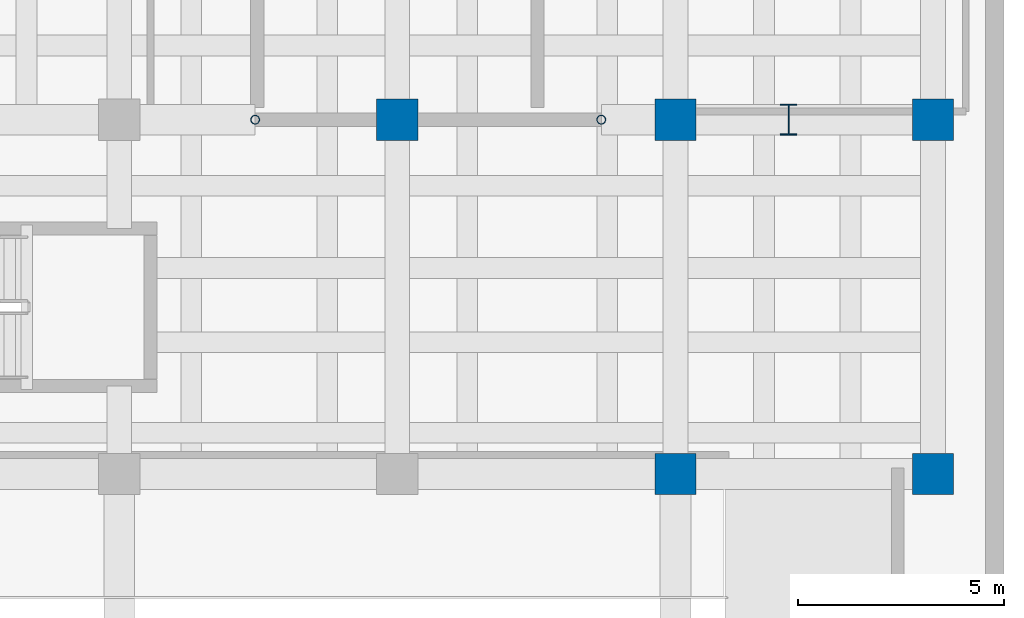
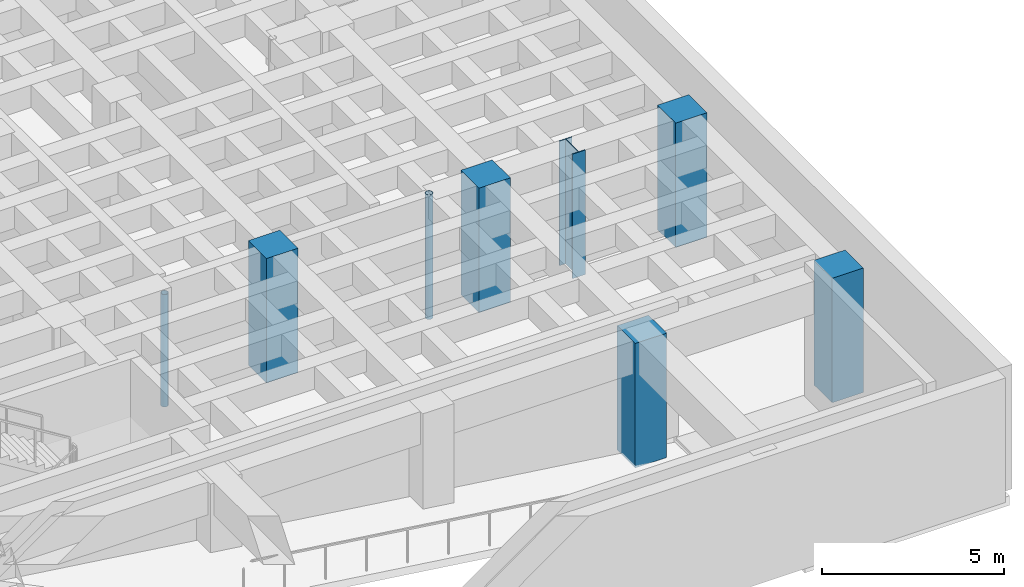
# One storey, part 2 of 13: 8 columns.
"""IFC4 building model written with IfcOpenShell, lengths in metres."""

import ifcopenshell
import ifcopenshell.guid

model = None  # the IFC model being written
_history = None  # IfcOwnerHistory: only IFC2X3 demands one
_inside = {}  # id of a spatial element -> (the spatial element, [elements in it])
_under = {}  # id of a project, library or spatial element -> (it, [spatial elements below it])
_declared = {}  # id of a project -> (the project, [libraries it declares])
_typed = {}  # id of a type object -> (the type object, [elements of that type])
_made_of = {}  # id of a material, layer set ... -> (it, [elements and type objects made of it])


def new_model(schema):
    """Start an empty IFC model of exactly this schema.

    Asked for "IFC4X3", IfcOpenShell would pick the latest addendum, in which some entities
    have other attributes; the version numbers below select the first issue.
    IFC2X3 requires an IfcOwnerHistory on every rooted entity: one is made here for all.
    """
    global model, _history
    if schema == "IFC4X3":
        model = ifcopenshell.file(schema_version=(4, 3, 0, 0))
    else:
        model = ifcopenshell.file(schema=schema)
    _inside.clear()
    _under.clear()
    _declared.clear()
    _typed.clear()
    _made_of.clear()
    _history = None
    if model.schema == "IFC2X3":
        org = make("IfcOrganization", Name="unknown")
        user = make(
            "IfcPersonAndOrganization",
            ThePerson=make("IfcPerson", FamilyName="unknown"),
            TheOrganization=org,
        )
        app = make(
            "IfcApplication",
            ApplicationDeveloper=org,
            Version="unknown",
            ApplicationFullName="unknown",
            ApplicationIdentifier="unknown",
        )
        _history = make(
            "IfcOwnerHistory",
            OwningUser=user,
            OwningApplication=app,
            ChangeAction="ADDED",
            CreationDate=0,
        )
    return model


def make(cls, **values):
    """One entity of the class cls with the attributes given. An attribute that is None is left unset."""
    return model.create_entity(
        cls, **{name: value for name, value in values.items() if value is not None}
    )


def rooted(cls, **values):
    """An entity with a GlobalId (a new one), such as an element, a storey or a relation."""
    return make(cls, GlobalId=ifcopenshell.guid.new(), OwnerHistory=_history, **values)


def si_unit(unit_type, name, prefix=None):
    """IfcSIUnit, for example si_unit("LENGTHUNIT", "METRE", prefix="MILLI")."""
    return make("IfcSIUnit", UnitType=unit_type, Prefix=prefix, Name=name)


def assignment(units):
    """IfcUnitAssignment: the units of a project."""
    return None if units is None else make("IfcUnitAssignment", Units=units)


def point(xyz):
    """IfcCartesianPoint."""
    return None if xyz is None else make("IfcCartesianPoint", Coordinates=xyz)


def direction(xyz):
    """IfcDirection."""
    return None if xyz is None else make("IfcDirection", DirectionRatios=xyz)


def frame(location, z_axis=None, x_axis=None):
    """IfcAxis2Placement3D, a coordinate frame: its origin and axes. An axis left out is left unset."""
    return make(
        "IfcAxis2Placement3D",
        Location=point(location),
        Axis=direction(z_axis),
        RefDirection=direction(x_axis),
    )


def frame_2d(location, x_axis=None):
    """IfcAxis2Placement2D, a coordinate frame in the plane: its origin and x axis."""
    return make(
        "IfcAxis2Placement2D", Location=point(location), RefDirection=direction(x_axis)
    )


def origin():
    """The frame at (0, 0, 0) with its axes left unset."""
    return frame((0.0, 0.0, 0.0))


def origin_2d():
    """The frame at (0, 0) in the plane with its x axis left unset."""
    return frame_2d((0.0, 0.0))


def place(relative_to, where):
    """IfcLocalPlacement: puts the frame where relative to a parent placement (None: the world)."""
    return make(
        "IfcLocalPlacement", PlacementRelTo=relative_to, RelativePlacement=where
    )


def context(
    kind, dimensions, precision=None, world=None, true_north=None, identifier=None
):
    """IfcGeometricRepresentationContext, for example the 3D "Model" context."""
    return make(
        "IfcGeometricRepresentationContext",
        ContextIdentifier=identifier,
        ContextType=kind,
        CoordinateSpaceDimension=dimensions,
        Precision=precision,
        WorldCoordinateSystem=world,
        TrueNorth=true_north,
    )


def subcontext(parent, identifier, kind, view, scale=None):
    """IfcGeometricRepresentationSubContext, for example "Body" below "Model"."""
    return make(
        "IfcGeometricRepresentationSubContext",
        ContextIdentifier=identifier,
        ContextType=kind,
        ParentContext=parent,
        TargetScale=scale,
        TargetView=view,
    )


def project(units=None, contexts=None):
    """IfcProject with its units and contexts."""
    return rooted(
        "IfcProject",
        Name="project",
        RepresentationContexts=contexts,
        UnitsInContext=assignment(units),
    )


def spatial(cls, under=None, at=None, **own):
    """A site, building, storey or space (cls), placed at a placement, below another one or the project."""
    s = rooted(cls, ObjectPlacement=at, **own)
    if under is not None:
        _under.setdefault(under.id(), (under, []))[1].append(s)
    return s


def profile(cls, at=None, kind="AREA", **sizes):
    """A parametric profile (cls). Its sizes go by their IFC names, for example OverallWidth=200.0."""
    return make(cls, ProfileType=kind, Position=at, **sizes)


def rectangle(**sizes):
    """IfcRectangleProfileDef."""
    return profile("IfcRectangleProfileDef", **sizes)


def hollow_circle(**sizes):
    """IfcCircleHollowProfileDef."""
    return profile("IfcCircleHollowProfileDef", **sizes)


def i_section(**sizes):
    """IfcIShapeProfileDef."""
    return profile("IfcIShapeProfileDef", **sizes)


def extrude(swept, where, along, depth):
    """IfcExtrudedAreaSolid: the profile swept, set in the frame where, extruded along a direction by depth."""
    return make(
        "IfcExtrudedAreaSolid",
        SweptArea=swept,
        Position=where,
        ExtrudedDirection=direction(along),
        Depth=depth,
    )


def shape(context_of_items, identifier, shape_type, items):
    """IfcShapeRepresentation: the items that make up one representation, for example the "Body"."""
    return make(
        "IfcShapeRepresentation",
        ContextOfItems=context_of_items,
        RepresentationIdentifier=identifier,
        RepresentationType=shape_type,
        Items=items,
    )


def material(Name=None, Category=None):
    """IfcMaterial."""
    return make("IfcMaterial", Name=Name, Category=Category)


def material_profile(
    of_material, cross_section, Name=None, Category=None, Priority=None
):
    """IfcMaterialProfile: a cross section and its material."""
    return make(
        "IfcMaterialProfile",
        Name=Name,
        Material=of_material,
        Profile=cross_section,
        Priority=Priority,
        Category=Category,
    )


def profile_set(profiles, Name=None, composite=None):
    """IfcMaterialProfileSet."""
    return make(
        "IfcMaterialProfileSet",
        Name=Name,
        MaterialProfiles=profiles,
        CompositeProfile=composite,
    )


def made_of(thing, what):
    """Note that an element or type object is made of a material, layer set ...; save() writes the relation."""
    if what is not None:
        _made_of.setdefault(what.id(), (what, []))[1].append(thing)
    return thing


def type_object(cls, material=None, **own):
    """A type object (cls), such as IfcWallType, which elements share."""
    return made_of(rooted(cls, **own), material)


def element(
    cls,
    number,
    at=None,
    inside=None,
    cuts=None,
    type_object=None,
    material=None,
    context=None,
    identifier="Body",
    shape_type=None,
    held_by="IfcProductDefinitionShape",
    body=None,
    shapes=None,
    **own,
):
    """One element of the class cls, such as IfcWall. Its Tag is "e" and its number.

    at: its placement. inside: the storey or other place that contains it. cuts: it is an
    opening in that element (IfcRelVoidsElement). A single representation is given by context,
    identifier, shape_type and body (its items); several are given by shapes. held_by: the class
    of the entity that holds the representations. save() writes the other relations.
    """
    e = rooted(cls, Tag="e%d" % number, ObjectPlacement=at, **own)
    if body is not None:
        shapes = [shape(context, identifier, shape_type, body)]
    if shapes is not None:
        e.Representation = make(held_by, Representations=shapes)
    if inside is not None:
        _inside.setdefault(inside.id(), (inside, []))[1].append(e)
    if cuts is not None:
        rooted(
            "IfcRelVoidsElement", RelatingBuildingElement=cuts, RelatedOpeningElement=e
        )
    if type_object is not None:
        _typed.setdefault(type_object.id(), (type_object, []))[1].append(e)
    return made_of(e, material)


def aggregate(whole, parts):
    """IfcRelAggregates: a whole, such as a stair, and the parts it consists of."""
    return rooted("IfcRelAggregates", RelatingObject=whole, RelatedObjects=parts)


def save(model, path):
    """Write the relations noted so far, then the file.

    IfcRelAggregates (storeys below a building ...), IfcRelContainedInSpatialStructure (elements
    in a storey), IfcRelDefinesByType, IfcRelAssociatesMaterial and IfcRelDeclares: one each for
    every whole, place, type object, material and project.
    """
    for whole, parts in _under.values():
        aggregate(whole, parts)
    for where, things in _inside.values():
        rooted(
            "IfcRelContainedInSpatialStructure",
            RelatedElements=things,
            RelatingStructure=where,
        )
    for kind, things in _typed.values():
        rooted("IfcRelDefinesByType", RelatedObjects=things, RelatingType=kind)
    for what, things in _made_of.values():
        rooted("IfcRelAssociatesMaterial", RelatedObjects=things, RelatingMaterial=what)
    for by, libraries in _declared.values():
        rooted("IfcRelDeclares", RelatingContext=by, RelatedDefinitions=libraries)
    model.write(path)


model = new_model("IFC4")

# Units and contexts
model_context = context("Model", 3, precision=1e-05, world=origin(), true_north=direction((0.0, 1.0)))
body_context = subcontext(model_context, "Body", "Model", "MODEL_VIEW")
ifc_project = project(units=[si_unit("LENGTHUNIT", "METRE"), si_unit("AREAUNIT", "SQUARE_METRE"), si_unit("VOLUMEUNIT", "CUBIC_METRE"), si_unit("PLANEANGLEUNIT", "RADIAN"), si_unit("MASSUNIT", "GRAM", prefix="KILO")], contexts=[model_context])

# Site, building, storey
site_placement = place(None, origin())
site = spatial("IfcSite", under=ifc_project, at=site_placement, CompositionType="ELEMENT")
building_placement = place(site_placement, origin())
building = spatial("IfcBuilding", under=site, at=building_placement, Name="Korentha Bioscience Tower", CompositionType="ELEMENT")
storey_placement = place(building_placement, frame((0.0, 0.0, -4.5)))
storey = spatial("IfcBuildingStorey", under=building, at=storey_placement, Name="B1", CompositionType="ELEMENT", Elevation=-4.5)

# Columns
ifc_material_1 = material(Name="Steel S355", Category="steel")
ifc_material_profile_1 = material_profile(ifc_material_1, i_section(OverallWidth=0.39990234375, OverallDepth=0.75, WebThickness=0.01611328125, FlangeThickness=0.028076171875, at=origin_2d()), Name="Steel S355")
ifc_profile_set_1 = profile_set([ifc_material_profile_1], Name="Steel S355 (TC-02)")
column_type_1 = type_object("IfcColumnType", Name="Theatre Fly-Tower Column CVS 750x256", PredefinedType="COLUMN", material=ifc_profile_set_1)
column_1_placement = place(storey_placement, frame((89.5, 18.39990234375, 0.0), z_axis=(0.0, 0.0, 1.0), x_axis=(1.0, 0.0, 0.0)))
element("IfcColumn", 1, at=column_1_placement, inside=storey, type_object=column_type_1, Name="B1 Fly-Tower Steel Column S", PredefinedType="COLUMN", context=body_context, shape_type="SweptSolid", body=[
    extrude(i_section(OverallWidth=0.39990234375, OverallDepth=0.75, WebThickness=0.01611328125, FlangeThickness=0.028076171875, at=origin_2d()), origin(), (0.0, 0.0, 1.0), 4.179931640625),
])
ifc_material_2 = material(Name="Concrete C50", Category="concrete")
ifc_material_profile_2 = material_profile(ifc_material_2, rectangle(XDim=1.0, YDim=1.0, at=origin_2d()), Name="Concrete C50")
ifc_profile_set_2 = profile_set([ifc_material_profile_2], Name="Concrete C50 (TC-I01)")
column_type_2 = type_object("IfcColumnType", Name="Theatre Interior Column RC 1000x1000", PredefinedType="COLUMN", material=ifc_profile_set_2)
for number, where, z_axis, x_axis, name in (
    (2, (80.0, 18.39990234375, 0.0), (0.0, 0.0, 1.0), (1.0, 0.0, 0.0), "B1 Theatre Foundation Column 3-2"),
    (3, (86.75, 9.800048828125, 0.0), (0.0, 0.0, 1.0), (1.0, 0.0, 0.0), "B1 Theatre Foundation Column 4-1"),
    (4, (86.75, 18.39990234375, 0.0), (0.0, 0.0, 1.0), (1.0, 0.0, 0.0), "B1 Theatre Foundation Column 4-2"),
    (5, (93.0, 9.800048828125, 0.0), (0.0, 0.0, 1.0), (1.0, 0.0, 0.0), "B1 Theatre Foundation Column 5-1"),
    (6, (93.0, 18.39990234375, 0.0), (0.0, 0.0, 1.0), (1.0, 0.0, 0.0), "B1 Theatre Foundation Column 5-2"),
):
    element("IfcColumn", number, at=place(storey_placement, frame(where, z_axis=z_axis, x_axis=x_axis)), inside=storey, type_object=column_type_2, Name=name, PredefinedType="COLUMN", context=body_context, shape_type="SweptSolid", body=[
        extrude(rectangle(XDim=1.0, YDim=1.0, at=origin_2d()), origin(), (0.0, 0.0, 1.0), 4.179931640625),
    ])
ifc_material_profile_3 = material_profile(ifc_material_1, hollow_circle(Radius=0.109619140625, WallThickness=0.012451171875, at=origin_2d()), Name="Steel S355")
ifc_profile_set_3 = profile_set([ifc_material_profile_3], Name="Steel S355 (TC-P219)")
column_type_3 = type_object("IfcColumnType", Name="Theatre Tier Support Post CHS 219.1x12.5", PredefinedType="COLUMN", material=ifc_profile_set_3)
column_2_placement = place(storey_placement, frame((84.949951171875, 18.39990234375, 0.0), z_axis=(0.0, 0.0, 1.0), x_axis=(1.0, 0.0, 0.0)))
element("IfcColumn", 7, at=column_2_placement, inside=storey, type_object=column_type_3, Name="B1 Auditorium Raker Support Column E-18", PredefinedType="COLUMN", context=body_context, shape_type="SweptSolid", body=[
    extrude(hollow_circle(Radius=0.109619140625, WallThickness=0.012451171875, at=origin_2d()), origin(), (0.0, 0.0, 1.0), 4.179931640625),
])
column_3_placement = place(storey_placement, frame((76.550048828125, 18.39990234375, 0.0), z_axis=(0.0, 0.0, 1.0), x_axis=(1.0, 0.0, 0.0)))
element("IfcColumn", 8, at=column_3_placement, inside=storey, type_object=column_type_3, Name="B1 Auditorium Raker Support Column W-18", PredefinedType="COLUMN", context=body_context, shape_type="SweptSolid", body=[
    extrude(hollow_circle(Radius=0.109619140625, WallThickness=0.012451171875, at=origin_2d()), origin(), (0.0, 0.0, 1.0), 3.77490234375),
])

save(model, "model.ifc")
